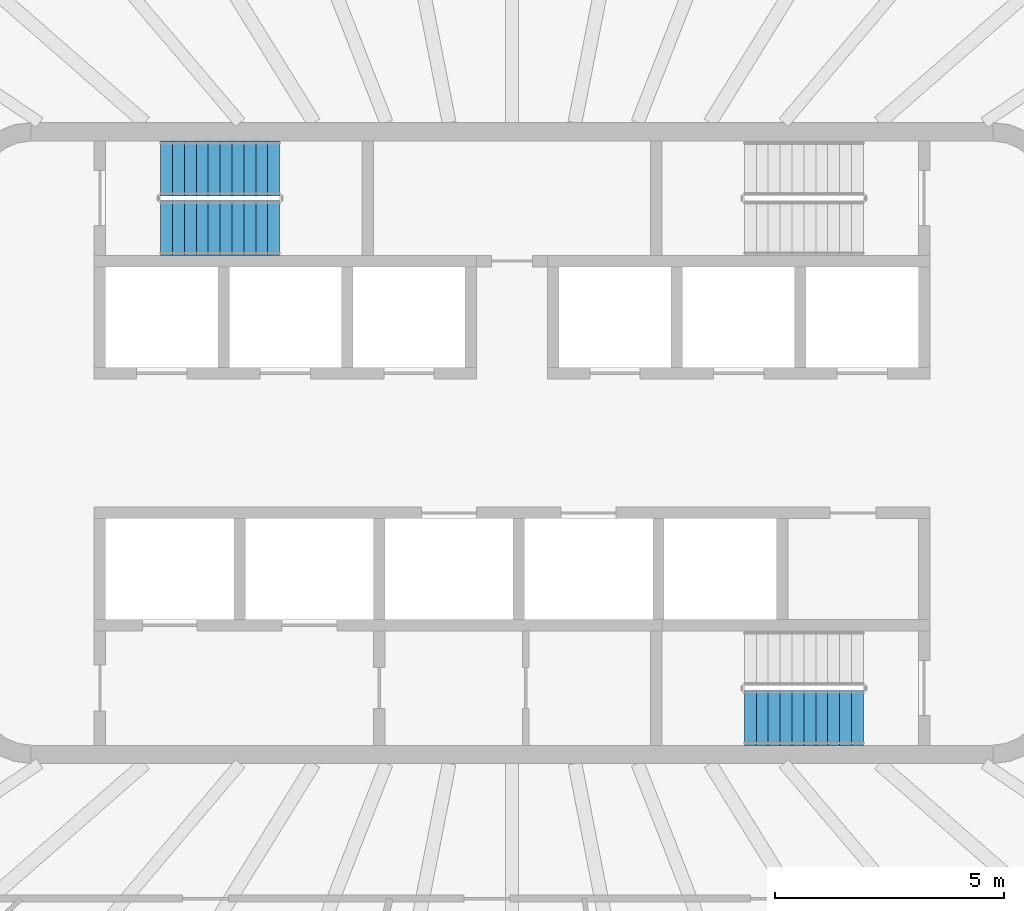
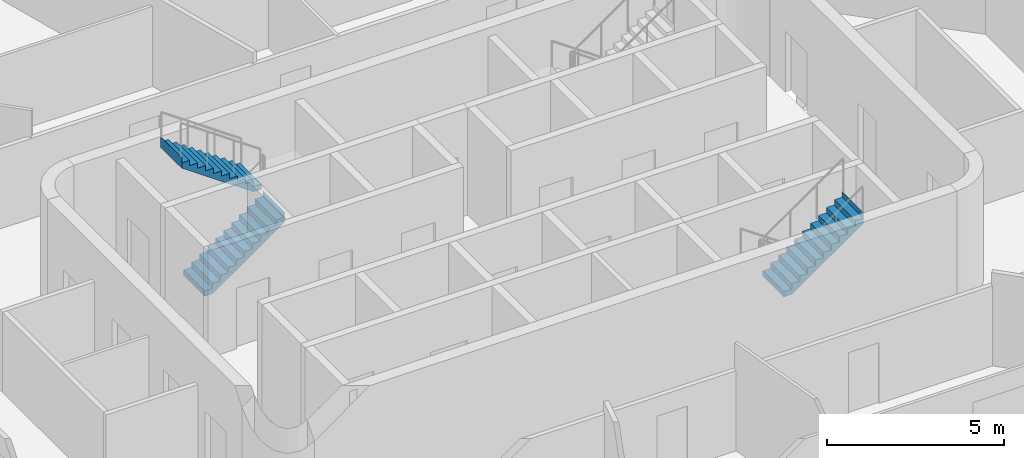
# One storey, part 12 of 18: 3 stair flights, 2 elements without a shape of their own.
"""IFC4 building model written with IfcOpenShell, lengths in metres."""

from ifc_helpers import new_model, si_unit, direction, frame, origin, place, context, subcontext, project, spatial, triangles, material, type_object, element, aggregate, save


model = new_model("IFC4")

# Units and contexts
model_context = context("Model", 3, precision=1e-05, world=origin(), true_north=direction((0.0, 1.0)))
body_context = subcontext(model_context, "Body", "Model", "MODEL_VIEW")
ifc_project = project(units=[si_unit("LENGTHUNIT", "METRE"), si_unit("AREAUNIT", "SQUARE_METRE"), si_unit("VOLUMEUNIT", "CUBIC_METRE"), si_unit("PLANEANGLEUNIT", "RADIAN"), si_unit("MASSUNIT", "GRAM", prefix="KILO")], contexts=[model_context])

# Site, building, storey
site_placement = place(None, origin())
site = spatial("IfcSite", under=ifc_project, at=site_placement, CompositionType="ELEMENT")
building_placement = place(site_placement, origin())
building = spatial("IfcBuilding", under=site, at=building_placement, Name="Sahrelin Media Tower", CompositionType="ELEMENT")
storey_placement = place(building_placement, frame((0.0, 0.0, 295.0)))
storey = spatial("IfcBuildingStorey", under=building, at=storey_placement, Name="L65", CompositionType="ELEMENT", Elevation=295.0)

# Stair, stair flights
ifc_material = material(Name="Concrete C40/50", Category="concrete")
stair_type = type_object("IfcStairType", Name="Exit stair 1200", PredefinedType="HALF_TURN_STAIR", material=ifc_material)
placement = place(storey_placement, origin())
stair_1 = element("IfcStair", 1, at=placement, inside=storey, type_object=stair_type, Name="L65 Exit stair ST1", PredefinedType="HALF_TURN_STAIR")
stair_flight_type = type_object("IfcStairFlightType", Name="Stair flight 1200", PredefinedType="STRAIGHT", material=ifc_material)
stair_flight_1_placement = place(storey_placement, frame((-7.675048828125, 4.699951171875, 0.0), z_axis=(0.0, 0.0, 1.0), x_axis=(1.0, 0.0, 0.0)))
stair_flight_1 = element("IfcStairFlight", 2, at=stair_flight_1_placement, type_object=stair_flight_type, Name="ST1 flight 1", NumberOfRisers=11, NumberOfTreads=10, PredefinedType="STRAIGHT", RiserHeight=0.181818182, TreadLength=0.26, context=body_context, shape_type="Tessellation", body=[
    triangles([(0.261474609375, 0.60009765625, 0.0), (0.261474609375, 0.300048828125, 0.0), (0.261474609375, 0.0, 0.0), (0.261474609375, -0.300048828125, 0.0), (0.261474609375, -0.60009765625, 0.0), (2.60009765625, 0.60009765625, 1.63525390625), (2.60009765625, 0.300048828125, 1.63525390625), (2.60009765625, 0.0, 1.63525390625), (2.60009765625, -0.300048828125, 1.63525390625), (2.60009765625, -0.60009765625, 1.63525390625), (2.60009765625, 0.60009765625, 2.0), (2.60009765625, 0.300048828125, 2.0), (2.60009765625, 0.0, 2.0), (2.60009765625, -0.300048828125, 2.0), (2.60009765625, -0.60009765625, 2.0), (2.597900390625, 0.60009765625, 2.0), (2.597900390625, 0.300048828125, 2.0), (2.597900390625, 0.0, 2.0), (2.597900390625, -0.300048828125, 2.0), (2.597900390625, -0.60009765625, 2.0), (2.597900390625, 0.60009765625, 1.818115234375), (2.597900390625, 0.300048828125, 1.818115234375), (2.597900390625, 0.0, 1.818115234375), (2.597900390625, -0.300048828125, 1.818115234375), (2.597900390625, -0.60009765625, 1.818115234375), (2.340087890625, 0.60009765625, 1.818115234375), (2.340087890625, 0.300048828125, 1.818115234375), (2.340087890625, 0.0, 1.818115234375), (2.340087890625, -0.300048828125, 1.818115234375), (2.340087890625, -0.60009765625, 1.818115234375), (2.340087890625, 0.60009765625, 1.636474609375), (2.340087890625, 0.300048828125, 1.636474609375), (2.340087890625, 0.0, 1.636474609375), (2.340087890625, -0.300048828125, 1.636474609375), (2.340087890625, -0.60009765625, 1.636474609375), (2.080078125, 0.60009765625, 1.636474609375), (2.080078125, 0.300048828125, 1.636474609375), (2.080078125, 0.0, 1.636474609375), (2.080078125, -0.300048828125, 1.636474609375), (2.080078125, -0.60009765625, 1.636474609375), (2.080078125, 0.60009765625, 1.45458984375), (2.080078125, 0.300048828125, 1.45458984375), (2.080078125, 0.0, 1.45458984375), (2.080078125, -0.300048828125, 1.45458984375), (2.080078125, -0.60009765625, 1.45458984375), (1.820068359375, 0.60009765625, 1.45458984375), (1.820068359375, 0.300048828125, 1.45458984375), (1.820068359375, 0.0, 1.45458984375), (1.820068359375, -0.300048828125, 1.45458984375), (1.820068359375, -0.60009765625, 1.45458984375), (1.820068359375, 0.60009765625, 1.272705078125), (1.820068359375, 0.300048828125, 1.272705078125), (1.820068359375, 0.0, 1.272705078125), (1.820068359375, -0.300048828125, 1.272705078125), (1.820068359375, -0.60009765625, 1.272705078125), (1.56005859375, 0.60009765625, 1.272705078125), (1.56005859375, 0.300048828125, 1.272705078125), (1.56005859375, 0.0, 1.272705078125), (1.56005859375, -0.300048828125, 1.272705078125), (1.56005859375, -0.60009765625, 1.272705078125), (1.56005859375, 0.60009765625, 1.0908203125), (1.56005859375, 0.300048828125, 1.0908203125), (1.56005859375, 0.0, 1.0908203125), (1.56005859375, -0.300048828125, 1.0908203125), (1.56005859375, -0.60009765625, 1.0908203125), (1.300048828125, 0.60009765625, 1.0908203125), (1.300048828125, 0.300048828125, 1.0908203125), (1.300048828125, 0.0, 1.0908203125), (1.300048828125, -0.300048828125, 1.0908203125), (1.300048828125, -0.60009765625, 1.0908203125), (1.300048828125, 0.60009765625, 0.9091796875), (1.300048828125, 0.300048828125, 0.9091796875), (1.300048828125, 0.0, 0.9091796875), (1.300048828125, -0.300048828125, 0.9091796875), (1.300048828125, -0.60009765625, 0.9091796875), (1.0400390625, 0.60009765625, 0.9091796875), (1.0400390625, 0.300048828125, 0.9091796875), (1.0400390625, 0.0, 0.9091796875), (1.0400390625, -0.300048828125, 0.9091796875), (1.0400390625, -0.60009765625, 0.9091796875), (1.0400390625, 0.60009765625, 0.727294921875), (1.0400390625, 0.300048828125, 0.727294921875), (1.0400390625, 0.0, 0.727294921875), (1.0400390625, -0.300048828125, 0.727294921875), (1.0400390625, -0.60009765625, 0.727294921875), (0.780029296875, 0.60009765625, 0.727294921875), (0.780029296875, 0.300048828125, 0.727294921875), (0.780029296875, 0.0, 0.727294921875), (0.780029296875, -0.300048828125, 0.727294921875), (0.780029296875, -0.60009765625, 0.727294921875), (0.780029296875, 0.60009765625, 0.54541015625), (0.780029296875, 0.300048828125, 0.54541015625), (0.780029296875, 0.0, 0.54541015625), (0.780029296875, -0.300048828125, 0.54541015625), (0.780029296875, -0.60009765625, 0.54541015625), (0.52001953125, 0.60009765625, 0.54541015625), (0.52001953125, 0.300048828125, 0.54541015625), (0.52001953125, 0.0, 0.54541015625), (0.52001953125, -0.300048828125, 0.54541015625), (0.52001953125, -0.60009765625, 0.54541015625), (0.52001953125, 0.60009765625, 0.363525390625), (0.52001953125, 0.300048828125, 0.363525390625), (0.52001953125, 0.0, 0.363525390625), (0.52001953125, -0.300048828125, 0.363525390625), (0.52001953125, -0.60009765625, 0.363525390625), (0.260009765625, 0.60009765625, 0.363525390625), (0.260009765625, 0.300048828125, 0.363525390625), (0.260009765625, 0.0, 0.363525390625), (0.260009765625, -0.300048828125, 0.363525390625), (0.260009765625, -0.60009765625, 0.363525390625), (0.260009765625, 0.60009765625, 0.181884765625), (0.260009765625, 0.300048828125, 0.181884765625), (0.260009765625, 0.0, 0.181884765625), (0.260009765625, -0.300048828125, 0.181884765625), (0.260009765625, -0.60009765625, 0.181884765625), (0.0, 0.60009765625, 0.181884765625), (0.0, 0.300048828125, 0.181884765625), (0.0, 0.0, 0.181884765625), (0.0, -0.300048828125, 0.181884765625), (0.0, -0.60009765625, 0.181884765625), (0.0, 0.60009765625, 0.0), (0.0, 0.300048828125, 0.0), (0.0, 0.0, 0.0), (0.0, -0.300048828125, 0.0), (0.0, -0.60009765625, 0.0)], [[1, 6, 7], [1, 7, 2], [2, 7, 8], [2, 8, 3], [3, 8, 9], [3, 9, 4], [4, 9, 10], [4, 10, 5], [6, 11, 12], [6, 12, 7], [7, 12, 13], [7, 13, 8], [8, 13, 14], [8, 14, 9], [9, 14, 15], [9, 15, 10], [11, 16, 17], [11, 17, 12], [12, 17, 18], [12, 18, 13], [13, 18, 19], [13, 19, 14], [14, 19, 20], [14, 20, 15], [16, 21, 22], [16, 22, 17], [17, 22, 23], [17, 23, 18], [18, 23, 24], [18, 24, 19], [19, 24, 25], [19, 25, 20], [21, 26, 27], [21, 27, 22], [22, 27, 28], [22, 28, 23], [23, 28, 29], [23, 29, 24], [24, 29, 30], [24, 30, 25], [26, 31, 32], [26, 32, 27], [27, 32, 33], [27, 33, 28], [28, 33, 34], [28, 34, 29], [29, 34, 35], [29, 35, 30], [31, 36, 37], [31, 37, 32], [32, 37, 38], [32, 38, 33], [33, 38, 39], [33, 39, 34], [34, 39, 40], [34, 40, 35], [36, 41, 42], [36, 42, 37], [37, 42, 43], [37, 43, 38], [38, 43, 44], [38, 44, 39], [39, 44, 45], [39, 45, 40], [41, 46, 47], [41, 47, 42], [42, 47, 48], [42, 48, 43], [43, 48, 49], [43, 49, 44], [44, 49, 50], [44, 50, 45], [46, 51, 52], [46, 52, 47], [47, 52, 53], [47, 53, 48], [48, 53, 54], [48, 54, 49], [49, 54, 55], [49, 55, 50], [51, 56, 57], [51, 57, 52], [52, 57, 58], [52, 58, 53], [53, 58, 59], [53, 59, 54], [54, 59, 60], [54, 60, 55], [56, 61, 62], [56, 62, 57], [57, 62, 63], [57, 63, 58], [58, 63, 64], [58, 64, 59], [59, 64, 65], [59, 65, 60], [61, 66, 67], [61, 67, 62], [62, 67, 68], [62, 68, 63], [63, 68, 69], [63, 69, 64], [64, 69, 70], [64, 70, 65], [66, 71, 72], [66, 72, 67], [67, 72, 73], [67, 73, 68], [68, 73, 74], [68, 74, 69], [69, 74, 75], [69, 75, 70], [71, 76, 77], [71, 77, 72], [72, 77, 78], [72, 78, 73], [73, 78, 79], [73, 79, 74], [74, 79, 80], [74, 80, 75], [76, 81, 82], [76, 82, 77], [77, 82, 83], [77, 83, 78], [78, 83, 84], [78, 84, 79], [79, 84, 85], [79, 85, 80], [81, 86, 87], [81, 87, 82], [82, 87, 88], [82, 88, 83], [83, 88, 89], [83, 89, 84], [84, 89, 90], [84, 90, 85], [86, 91, 92], [86, 92, 87], [87, 92, 93], [87, 93, 88], [88, 93, 94], [88, 94, 89], [89, 94, 95], [89, 95, 90], [91, 96, 97], [91, 97, 92], [92, 97, 98], [92, 98, 93], [93, 98, 99], [93, 99, 94], [94, 99, 100], [94, 100, 95], [96, 101, 102], [96, 102, 97], [97, 102, 103], [97, 103, 98], [98, 103, 104], [98, 104, 99], [99, 104, 105], [99, 105, 100], [101, 106, 107], [101, 107, 102], [102, 107, 108], [102, 108, 103], [103, 108, 109], [103, 109, 104], [104, 109, 110], [104, 110, 105], [106, 111, 112], [106, 112, 107], [107, 112, 113], [107, 113, 108], [108, 113, 114], [108, 114, 109], [109, 114, 115], [109, 115, 110], [111, 116, 117], [111, 117, 112], [112, 117, 118], [112, 118, 113], [113, 118, 119], [113, 119, 114], [114, 119, 120], [114, 120, 115], [116, 121, 122], [116, 122, 117], [117, 122, 123], [117, 123, 118], [118, 123, 124], [118, 124, 119], [119, 124, 125], [119, 125, 120], [121, 1, 2], [121, 2, 122], [122, 2, 3], [122, 3, 123], [123, 3, 4], [123, 4, 124], [124, 4, 5], [124, 5, 125], [115, 120, 125], [111, 121, 116], [115, 105, 110], [111, 106, 101], [105, 95, 100], [101, 96, 91], [95, 85, 90], [91, 86, 81], [85, 75, 80], [81, 76, 71], [75, 65, 70], [71, 66, 61], [65, 55, 60], [61, 56, 51], [55, 45, 50], [51, 46, 41], [45, 35, 40], [41, 36, 31], [35, 25, 30], [31, 26, 21], [25, 15, 20], [21, 16, 11], [125, 5, 115], [121, 111, 1], [25, 10, 15], [21, 11, 6], [105, 115, 5], [101, 1, 111], [35, 10, 25], [31, 21, 6], [95, 105, 5], [91, 1, 101], [45, 10, 35], [41, 31, 6], [85, 95, 5], [81, 1, 91], [55, 10, 45], [51, 41, 6], [75, 85, 5], [71, 1, 81], [65, 10, 55], [61, 51, 6], [5, 10, 75], [1, 71, 6], [75, 10, 65], [71, 61, 6]], closed=True),
])
stair_flight_2_placement = place(storey_placement, frame((-5.074951171875, 6.0, 2.0), z_axis=(0.0, 0.0, 1.0), x_axis=(-1.0, 0.0, 0.0)))
stair_flight_2 = element("IfcStairFlight", 3, at=stair_flight_2_placement, type_object=stair_flight_type, Name="ST1 flight 2", NumberOfRisers=11, NumberOfTreads=10, PredefinedType="STRAIGHT", RiserHeight=0.181818182, TreadLength=0.26, context=body_context, shape_type="Tessellation", body=[
    triangles([(0.261474609375, 0.60009765625, 0.0), (0.261474609375, 0.300048828125, 0.0), (0.261474609375, 0.0, 0.0), (0.261474609375, -0.300048828125, 0.0), (0.261474609375, -0.60009765625, 0.0), (2.60009765625, 0.60009765625, 1.63525390625), (2.60009765625, 0.300048828125, 1.63525390625), (2.60009765625, 0.0, 1.63525390625), (2.60009765625, -0.300048828125, 1.63525390625), (2.60009765625, -0.60009765625, 1.63525390625), (2.60009765625, 0.60009765625, 2.0), (2.60009765625, 0.300048828125, 2.0), (2.60009765625, 0.0, 2.0), (2.60009765625, -0.300048828125, 2.0), (2.60009765625, -0.60009765625, 2.0), (2.597900390625, 0.60009765625, 2.0), (2.597900390625, 0.300048828125, 2.0), (2.597900390625, 0.0, 2.0), (2.597900390625, -0.300048828125, 2.0), (2.597900390625, -0.60009765625, 2.0), (2.597900390625, 0.60009765625, 1.818115234375), (2.597900390625, 0.300048828125, 1.818115234375), (2.597900390625, 0.0, 1.818115234375), (2.597900390625, -0.300048828125, 1.818115234375), (2.597900390625, -0.60009765625, 1.818115234375), (2.340087890625, 0.60009765625, 1.818115234375), (2.340087890625, 0.300048828125, 1.818115234375), (2.340087890625, 0.0, 1.818115234375), (2.340087890625, -0.300048828125, 1.818115234375), (2.340087890625, -0.60009765625, 1.818115234375), (2.340087890625, 0.60009765625, 1.636474609375), (2.340087890625, 0.300048828125, 1.636474609375), (2.340087890625, 0.0, 1.636474609375), (2.340087890625, -0.300048828125, 1.636474609375), (2.340087890625, -0.60009765625, 1.636474609375), (2.080078125, 0.60009765625, 1.636474609375), (2.080078125, 0.300048828125, 1.636474609375), (2.080078125, 0.0, 1.636474609375), (2.080078125, -0.300048828125, 1.636474609375), (2.080078125, -0.60009765625, 1.636474609375), (2.080078125, 0.60009765625, 1.45458984375), (2.080078125, 0.300048828125, 1.45458984375), (2.080078125, 0.0, 1.45458984375), (2.080078125, -0.300048828125, 1.45458984375), (2.080078125, -0.60009765625, 1.45458984375), (1.820068359375, 0.60009765625, 1.45458984375), (1.820068359375, 0.300048828125, 1.45458984375), (1.820068359375, 0.0, 1.45458984375), (1.820068359375, -0.300048828125, 1.45458984375), (1.820068359375, -0.60009765625, 1.45458984375), (1.820068359375, 0.60009765625, 1.272705078125), (1.820068359375, 0.300048828125, 1.272705078125), (1.820068359375, 0.0, 1.272705078125), (1.820068359375, -0.300048828125, 1.272705078125), (1.820068359375, -0.60009765625, 1.272705078125), (1.56005859375, 0.60009765625, 1.272705078125), (1.56005859375, 0.300048828125, 1.272705078125), (1.56005859375, 0.0, 1.272705078125), (1.56005859375, -0.300048828125, 1.272705078125), (1.56005859375, -0.60009765625, 1.272705078125), (1.56005859375, 0.60009765625, 1.0908203125), (1.56005859375, 0.300048828125, 1.0908203125), (1.56005859375, 0.0, 1.0908203125), (1.56005859375, -0.300048828125, 1.0908203125), (1.56005859375, -0.60009765625, 1.0908203125), (1.300048828125, 0.60009765625, 1.0908203125), (1.300048828125, 0.300048828125, 1.0908203125), (1.300048828125, 0.0, 1.0908203125), (1.300048828125, -0.300048828125, 1.0908203125), (1.300048828125, -0.60009765625, 1.0908203125), (1.300048828125, 0.60009765625, 0.9091796875), (1.300048828125, 0.300048828125, 0.9091796875), (1.300048828125, 0.0, 0.9091796875), (1.300048828125, -0.300048828125, 0.9091796875), (1.300048828125, -0.60009765625, 0.9091796875), (1.0400390625, 0.60009765625, 0.9091796875), (1.0400390625, 0.300048828125, 0.9091796875), (1.0400390625, 0.0, 0.9091796875), (1.0400390625, -0.300048828125, 0.9091796875), (1.0400390625, -0.60009765625, 0.9091796875), (1.0400390625, 0.60009765625, 0.727294921875), (1.0400390625, 0.300048828125, 0.727294921875), (1.0400390625, 0.0, 0.727294921875), (1.0400390625, -0.300048828125, 0.727294921875), (1.0400390625, -0.60009765625, 0.727294921875), (0.780029296875, 0.60009765625, 0.727294921875), (0.780029296875, 0.300048828125, 0.727294921875), (0.780029296875, 0.0, 0.727294921875), (0.780029296875, -0.300048828125, 0.727294921875), (0.780029296875, -0.60009765625, 0.727294921875), (0.780029296875, 0.60009765625, 0.54541015625), (0.780029296875, 0.300048828125, 0.54541015625), (0.780029296875, 0.0, 0.54541015625), (0.780029296875, -0.300048828125, 0.54541015625), (0.780029296875, -0.60009765625, 0.54541015625), (0.52001953125, 0.60009765625, 0.54541015625), (0.52001953125, 0.300048828125, 0.54541015625), (0.52001953125, 0.0, 0.54541015625), (0.52001953125, -0.300048828125, 0.54541015625), (0.52001953125, -0.60009765625, 0.54541015625), (0.52001953125, 0.60009765625, 0.363525390625), (0.52001953125, 0.300048828125, 0.363525390625), (0.52001953125, 0.0, 0.363525390625), (0.52001953125, -0.300048828125, 0.363525390625), (0.52001953125, -0.60009765625, 0.363525390625), (0.260009765625, 0.60009765625, 0.363525390625), (0.260009765625, 0.300048828125, 0.363525390625), (0.260009765625, 0.0, 0.363525390625), (0.260009765625, -0.300048828125, 0.363525390625), (0.260009765625, -0.60009765625, 0.363525390625), (0.260009765625, 0.60009765625, 0.181884765625), (0.260009765625, 0.300048828125, 0.181884765625), (0.260009765625, 0.0, 0.181884765625), (0.260009765625, -0.300048828125, 0.181884765625), (0.260009765625, -0.60009765625, 0.181884765625), (0.0, 0.60009765625, 0.181884765625), (0.0, 0.300048828125, 0.181884765625), (0.0, 0.0, 0.181884765625), (0.0, -0.300048828125, 0.181884765625), (0.0, -0.60009765625, 0.181884765625), (0.0, 0.60009765625, 0.0), (0.0, 0.300048828125, 0.0), (0.0, 0.0, 0.0), (0.0, -0.300048828125, 0.0), (0.0, -0.60009765625, 0.0)], [[1, 6, 7], [1, 7, 2], [2, 7, 8], [2, 8, 3], [3, 8, 9], [3, 9, 4], [4, 9, 10], [4, 10, 5], [6, 11, 12], [6, 12, 7], [7, 12, 13], [7, 13, 8], [8, 13, 14], [8, 14, 9], [9, 14, 15], [9, 15, 10], [11, 16, 17], [11, 17, 12], [12, 17, 18], [12, 18, 13], [13, 18, 19], [13, 19, 14], [14, 19, 20], [14, 20, 15], [16, 21, 22], [16, 22, 17], [17, 22, 23], [17, 23, 18], [18, 23, 24], [18, 24, 19], [19, 24, 25], [19, 25, 20], [21, 26, 27], [21, 27, 22], [22, 27, 28], [22, 28, 23], [23, 28, 29], [23, 29, 24], [24, 29, 30], [24, 30, 25], [26, 31, 32], [26, 32, 27], [27, 32, 33], [27, 33, 28], [28, 33, 34], [28, 34, 29], [29, 34, 35], [29, 35, 30], [31, 36, 37], [31, 37, 32], [32, 37, 38], [32, 38, 33], [33, 38, 39], [33, 39, 34], [34, 39, 40], [34, 40, 35], [36, 41, 42], [36, 42, 37], [37, 42, 43], [37, 43, 38], [38, 43, 44], [38, 44, 39], [39, 44, 45], [39, 45, 40], [41, 46, 47], [41, 47, 42], [42, 47, 48], [42, 48, 43], [43, 48, 49], [43, 49, 44], [44, 49, 50], [44, 50, 45], [46, 51, 52], [46, 52, 47], [47, 52, 53], [47, 53, 48], [48, 53, 54], [48, 54, 49], [49, 54, 55], [49, 55, 50], [51, 56, 57], [51, 57, 52], [52, 57, 58], [52, 58, 53], [53, 58, 59], [53, 59, 54], [54, 59, 60], [54, 60, 55], [56, 61, 62], [56, 62, 57], [57, 62, 63], [57, 63, 58], [58, 63, 64], [58, 64, 59], [59, 64, 65], [59, 65, 60], [61, 66, 67], [61, 67, 62], [62, 67, 68], [62, 68, 63], [63, 68, 69], [63, 69, 64], [64, 69, 70], [64, 70, 65], [66, 71, 72], [66, 72, 67], [67, 72, 73], [67, 73, 68], [68, 73, 74], [68, 74, 69], [69, 74, 75], [69, 75, 70], [71, 76, 77], [71, 77, 72], [72, 77, 78], [72, 78, 73], [73, 78, 79], [73, 79, 74], [74, 79, 80], [74, 80, 75], [76, 81, 82], [76, 82, 77], [77, 82, 83], [77, 83, 78], [78, 83, 84], [78, 84, 79], [79, 84, 85], [79, 85, 80], [81, 86, 87], [81, 87, 82], [82, 87, 88], [82, 88, 83], [83, 88, 89], [83, 89, 84], [84, 89, 90], [84, 90, 85], [86, 91, 92], [86, 92, 87], [87, 92, 93], [87, 93, 88], [88, 93, 94], [88, 94, 89], [89, 94, 95], [89, 95, 90], [91, 96, 97], [91, 97, 92], [92, 97, 98], [92, 98, 93], [93, 98, 99], [93, 99, 94], [94, 99, 100], [94, 100, 95], [96, 101, 102], [96, 102, 97], [97, 102, 103], [97, 103, 98], [98, 103, 104], [98, 104, 99], [99, 104, 105], [99, 105, 100], [101, 106, 107], [101, 107, 102], [102, 107, 108], [102, 108, 103], [103, 108, 109], [103, 109, 104], [104, 109, 110], [104, 110, 105], [106, 111, 112], [106, 112, 107], [107, 112, 113], [107, 113, 108], [108, 113, 114], [108, 114, 109], [109, 114, 115], [109, 115, 110], [111, 116, 117], [111, 117, 112], [112, 117, 118], [112, 118, 113], [113, 118, 119], [113, 119, 114], [114, 119, 120], [114, 120, 115], [116, 121, 122], [116, 122, 117], [117, 122, 123], [117, 123, 118], [118, 123, 124], [118, 124, 119], [119, 124, 125], [119, 125, 120], [121, 1, 2], [121, 2, 122], [122, 2, 3], [122, 3, 123], [123, 3, 4], [123, 4, 124], [124, 4, 5], [124, 5, 125], [115, 120, 125], [111, 121, 116], [115, 105, 110], [111, 106, 101], [105, 95, 100], [101, 96, 91], [95, 85, 90], [91, 86, 81], [85, 75, 80], [81, 76, 71], [75, 65, 70], [71, 66, 61], [65, 55, 60], [61, 56, 51], [55, 45, 50], [51, 46, 41], [45, 35, 40], [41, 36, 31], [35, 25, 30], [31, 26, 21], [25, 15, 20], [21, 16, 11], [125, 5, 115], [121, 111, 1], [25, 10, 15], [21, 11, 6], [105, 115, 5], [101, 1, 111], [35, 10, 25], [31, 21, 6], [95, 105, 5], [91, 1, 101], [45, 10, 35], [41, 31, 6], [85, 95, 5], [81, 1, 91], [55, 10, 45], [51, 41, 6], [75, 85, 5], [71, 1, 81], [65, 10, 55], [61, 51, 6], [5, 10, 75], [1, 71, 6], [75, 10, 65], [71, 61, 6]], closed=True),
])
aggregate(stair_1, [stair_flight_1, stair_flight_2])

# Stair, stair flight
stair_2 = element("IfcStair", 4, at=placement, inside=storey, type_object=stair_type, Name="L65 Exit stair ST2", PredefinedType="HALF_TURN_STAIR")
stair_flight_3_placement = place(storey_placement, frame((5.074951171875, -6.0, 2.0), z_axis=(0.0, 0.0, 1.0), x_axis=(1.0, 0.0, 0.0)))
stair_flight_3 = element("IfcStairFlight", 5, at=stair_flight_3_placement, type_object=stair_flight_type, Name="ST2 flight 2", NumberOfRisers=11, NumberOfTreads=10, PredefinedType="STRAIGHT", RiserHeight=0.181818182, TreadLength=0.26, context=body_context, shape_type="Tessellation", body=[
    triangles([(0.261474609375, 0.60009765625, 0.0), (0.261474609375, 0.300048828125, 0.0), (0.261474609375, 0.0, 0.0), (0.261474609375, -0.300048828125, 0.0), (0.261474609375, -0.60009765625, 0.0), (2.60009765625, 0.60009765625, 1.63525390625), (2.60009765625, 0.300048828125, 1.63525390625), (2.60009765625, 0.0, 1.63525390625), (2.60009765625, -0.300048828125, 1.63525390625), (2.60009765625, -0.60009765625, 1.63525390625), (2.60009765625, 0.60009765625, 2.0), (2.60009765625, 0.300048828125, 2.0), (2.60009765625, 0.0, 2.0), (2.60009765625, -0.300048828125, 2.0), (2.60009765625, -0.60009765625, 2.0), (2.597900390625, 0.60009765625, 2.0), (2.597900390625, 0.300048828125, 2.0), (2.597900390625, 0.0, 2.0), (2.597900390625, -0.300048828125, 2.0), (2.597900390625, -0.60009765625, 2.0), (2.597900390625, 0.60009765625, 1.818115234375), (2.597900390625, 0.300048828125, 1.818115234375), (2.597900390625, 0.0, 1.818115234375), (2.597900390625, -0.300048828125, 1.818115234375), (2.597900390625, -0.60009765625, 1.818115234375), (2.340087890625, 0.60009765625, 1.818115234375), (2.340087890625, 0.300048828125, 1.818115234375), (2.340087890625, 0.0, 1.818115234375), (2.340087890625, -0.300048828125, 1.818115234375), (2.340087890625, -0.60009765625, 1.818115234375), (2.340087890625, 0.60009765625, 1.636474609375), (2.340087890625, 0.300048828125, 1.636474609375), (2.340087890625, 0.0, 1.636474609375), (2.340087890625, -0.300048828125, 1.636474609375), (2.340087890625, -0.60009765625, 1.636474609375), (2.080078125, 0.60009765625, 1.636474609375), (2.080078125, 0.300048828125, 1.636474609375), (2.080078125, 0.0, 1.636474609375), (2.080078125, -0.300048828125, 1.636474609375), (2.080078125, -0.60009765625, 1.636474609375), (2.080078125, 0.60009765625, 1.45458984375), (2.080078125, 0.300048828125, 1.45458984375), (2.080078125, 0.0, 1.45458984375), (2.080078125, -0.300048828125, 1.45458984375), (2.080078125, -0.60009765625, 1.45458984375), (1.820068359375, 0.60009765625, 1.45458984375), (1.820068359375, 0.300048828125, 1.45458984375), (1.820068359375, 0.0, 1.45458984375), (1.820068359375, -0.300048828125, 1.45458984375), (1.820068359375, -0.60009765625, 1.45458984375), (1.820068359375, 0.60009765625, 1.272705078125), (1.820068359375, 0.300048828125, 1.272705078125), (1.820068359375, 0.0, 1.272705078125), (1.820068359375, -0.300048828125, 1.272705078125), (1.820068359375, -0.60009765625, 1.272705078125), (1.56005859375, 0.60009765625, 1.272705078125), (1.56005859375, 0.300048828125, 1.272705078125), (1.56005859375, 0.0, 1.272705078125), (1.56005859375, -0.300048828125, 1.272705078125), (1.56005859375, -0.60009765625, 1.272705078125), (1.56005859375, 0.60009765625, 1.0908203125), (1.56005859375, 0.300048828125, 1.0908203125), (1.56005859375, 0.0, 1.0908203125), (1.56005859375, -0.300048828125, 1.0908203125), (1.56005859375, -0.60009765625, 1.0908203125), (1.300048828125, 0.60009765625, 1.0908203125), (1.300048828125, 0.300048828125, 1.0908203125), (1.300048828125, 0.0, 1.0908203125), (1.300048828125, -0.300048828125, 1.0908203125), (1.300048828125, -0.60009765625, 1.0908203125), (1.300048828125, 0.60009765625, 0.9091796875), (1.300048828125, 0.300048828125, 0.9091796875), (1.300048828125, 0.0, 0.9091796875), (1.300048828125, -0.300048828125, 0.9091796875), (1.300048828125, -0.60009765625, 0.9091796875), (1.0400390625, 0.60009765625, 0.9091796875), (1.0400390625, 0.300048828125, 0.9091796875), (1.0400390625, 0.0, 0.9091796875), (1.0400390625, -0.300048828125, 0.9091796875), (1.0400390625, -0.60009765625, 0.9091796875), (1.0400390625, 0.60009765625, 0.727294921875), (1.0400390625, 0.300048828125, 0.727294921875), (1.0400390625, 0.0, 0.727294921875), (1.0400390625, -0.300048828125, 0.727294921875), (1.0400390625, -0.60009765625, 0.727294921875), (0.780029296875, 0.60009765625, 0.727294921875), (0.780029296875, 0.300048828125, 0.727294921875), (0.780029296875, 0.0, 0.727294921875), (0.780029296875, -0.300048828125, 0.727294921875), (0.780029296875, -0.60009765625, 0.727294921875), (0.780029296875, 0.60009765625, 0.54541015625), (0.780029296875, 0.300048828125, 0.54541015625), (0.780029296875, 0.0, 0.54541015625), (0.780029296875, -0.300048828125, 0.54541015625), (0.780029296875, -0.60009765625, 0.54541015625), (0.52001953125, 0.60009765625, 0.54541015625), (0.52001953125, 0.300048828125, 0.54541015625), (0.52001953125, 0.0, 0.54541015625), (0.52001953125, -0.300048828125, 0.54541015625), (0.52001953125, -0.60009765625, 0.54541015625), (0.52001953125, 0.60009765625, 0.363525390625), (0.52001953125, 0.300048828125, 0.363525390625), (0.52001953125, 0.0, 0.363525390625), (0.52001953125, -0.300048828125, 0.363525390625), (0.52001953125, -0.60009765625, 0.363525390625), (0.260009765625, 0.60009765625, 0.363525390625), (0.260009765625, 0.300048828125, 0.363525390625), (0.260009765625, 0.0, 0.363525390625), (0.260009765625, -0.300048828125, 0.363525390625), (0.260009765625, -0.60009765625, 0.363525390625), (0.260009765625, 0.60009765625, 0.181884765625), (0.260009765625, 0.300048828125, 0.181884765625), (0.260009765625, 0.0, 0.181884765625), (0.260009765625, -0.300048828125, 0.181884765625), (0.260009765625, -0.60009765625, 0.181884765625), (0.0, 0.60009765625, 0.181884765625), (0.0, 0.300048828125, 0.181884765625), (0.0, 0.0, 0.181884765625), (0.0, -0.300048828125, 0.181884765625), (0.0, -0.60009765625, 0.181884765625), (0.0, 0.60009765625, 0.0), (0.0, 0.300048828125, 0.0), (0.0, 0.0, 0.0), (0.0, -0.300048828125, 0.0), (0.0, -0.60009765625, 0.0)], [[1, 6, 7], [1, 7, 2], [2, 7, 8], [2, 8, 3], [3, 8, 9], [3, 9, 4], [4, 9, 10], [4, 10, 5], [6, 11, 12], [6, 12, 7], [7, 12, 13], [7, 13, 8], [8, 13, 14], [8, 14, 9], [9, 14, 15], [9, 15, 10], [11, 16, 17], [11, 17, 12], [12, 17, 18], [12, 18, 13], [13, 18, 19], [13, 19, 14], [14, 19, 20], [14, 20, 15], [16, 21, 22], [16, 22, 17], [17, 22, 23], [17, 23, 18], [18, 23, 24], [18, 24, 19], [19, 24, 25], [19, 25, 20], [21, 26, 27], [21, 27, 22], [22, 27, 28], [22, 28, 23], [23, 28, 29], [23, 29, 24], [24, 29, 30], [24, 30, 25], [26, 31, 32], [26, 32, 27], [27, 32, 33], [27, 33, 28], [28, 33, 34], [28, 34, 29], [29, 34, 35], [29, 35, 30], [31, 36, 37], [31, 37, 32], [32, 37, 38], [32, 38, 33], [33, 38, 39], [33, 39, 34], [34, 39, 40], [34, 40, 35], [36, 41, 42], [36, 42, 37], [37, 42, 43], [37, 43, 38], [38, 43, 44], [38, 44, 39], [39, 44, 45], [39, 45, 40], [41, 46, 47], [41, 47, 42], [42, 47, 48], [42, 48, 43], [43, 48, 49], [43, 49, 44], [44, 49, 50], [44, 50, 45], [46, 51, 52], [46, 52, 47], [47, 52, 53], [47, 53, 48], [48, 53, 54], [48, 54, 49], [49, 54, 55], [49, 55, 50], [51, 56, 57], [51, 57, 52], [52, 57, 58], [52, 58, 53], [53, 58, 59], [53, 59, 54], [54, 59, 60], [54, 60, 55], [56, 61, 62], [56, 62, 57], [57, 62, 63], [57, 63, 58], [58, 63, 64], [58, 64, 59], [59, 64, 65], [59, 65, 60], [61, 66, 67], [61, 67, 62], [62, 67, 68], [62, 68, 63], [63, 68, 69], [63, 69, 64], [64, 69, 70], [64, 70, 65], [66, 71, 72], [66, 72, 67], [67, 72, 73], [67, 73, 68], [68, 73, 74], [68, 74, 69], [69, 74, 75], [69, 75, 70], [71, 76, 77], [71, 77, 72], [72, 77, 78], [72, 78, 73], [73, 78, 79], [73, 79, 74], [74, 79, 80], [74, 80, 75], [76, 81, 82], [76, 82, 77], [77, 82, 83], [77, 83, 78], [78, 83, 84], [78, 84, 79], [79, 84, 85], [79, 85, 80], [81, 86, 87], [81, 87, 82], [82, 87, 88], [82, 88, 83], [83, 88, 89], [83, 89, 84], [84, 89, 90], [84, 90, 85], [86, 91, 92], [86, 92, 87], [87, 92, 93], [87, 93, 88], [88, 93, 94], [88, 94, 89], [89, 94, 95], [89, 95, 90], [91, 96, 97], [91, 97, 92], [92, 97, 98], [92, 98, 93], [93, 98, 99], [93, 99, 94], [94, 99, 100], [94, 100, 95], [96, 101, 102], [96, 102, 97], [97, 102, 103], [97, 103, 98], [98, 103, 104], [98, 104, 99], [99, 104, 105], [99, 105, 100], [101, 106, 107], [101, 107, 102], [102, 107, 108], [102, 108, 103], [103, 108, 109], [103, 109, 104], [104, 109, 110], [104, 110, 105], [106, 111, 112], [106, 112, 107], [107, 112, 113], [107, 113, 108], [108, 113, 114], [108, 114, 109], [109, 114, 115], [109, 115, 110], [111, 116, 117], [111, 117, 112], [112, 117, 118], [112, 118, 113], [113, 118, 119], [113, 119, 114], [114, 119, 120], [114, 120, 115], [116, 121, 122], [116, 122, 117], [117, 122, 123], [117, 123, 118], [118, 123, 124], [118, 124, 119], [119, 124, 125], [119, 125, 120], [121, 1, 2], [121, 2, 122], [122, 2, 3], [122, 3, 123], [123, 3, 4], [123, 4, 124], [124, 4, 5], [124, 5, 125], [115, 120, 125], [111, 121, 116], [115, 105, 110], [111, 106, 101], [105, 95, 100], [101, 96, 91], [95, 85, 90], [91, 86, 81], [85, 75, 80], [81, 76, 71], [75, 65, 70], [71, 66, 61], [65, 55, 60], [61, 56, 51], [55, 45, 50], [51, 46, 41], [45, 35, 40], [41, 36, 31], [35, 25, 30], [31, 26, 21], [25, 15, 20], [21, 16, 11], [125, 5, 115], [121, 111, 1], [25, 10, 15], [21, 11, 6], [105, 115, 5], [101, 1, 111], [35, 10, 25], [31, 21, 6], [95, 105, 5], [91, 1, 101], [45, 10, 35], [41, 31, 6], [85, 95, 5], [81, 1, 91], [55, 10, 45], [51, 41, 6], [75, 85, 5], [71, 1, 81], [65, 10, 55], [61, 51, 6], [5, 10, 75], [1, 71, 6], [75, 10, 65], [71, 61, 6]], closed=True),
])
aggregate(stair_2, [stair_flight_3])

save(model, "model.ifc")
